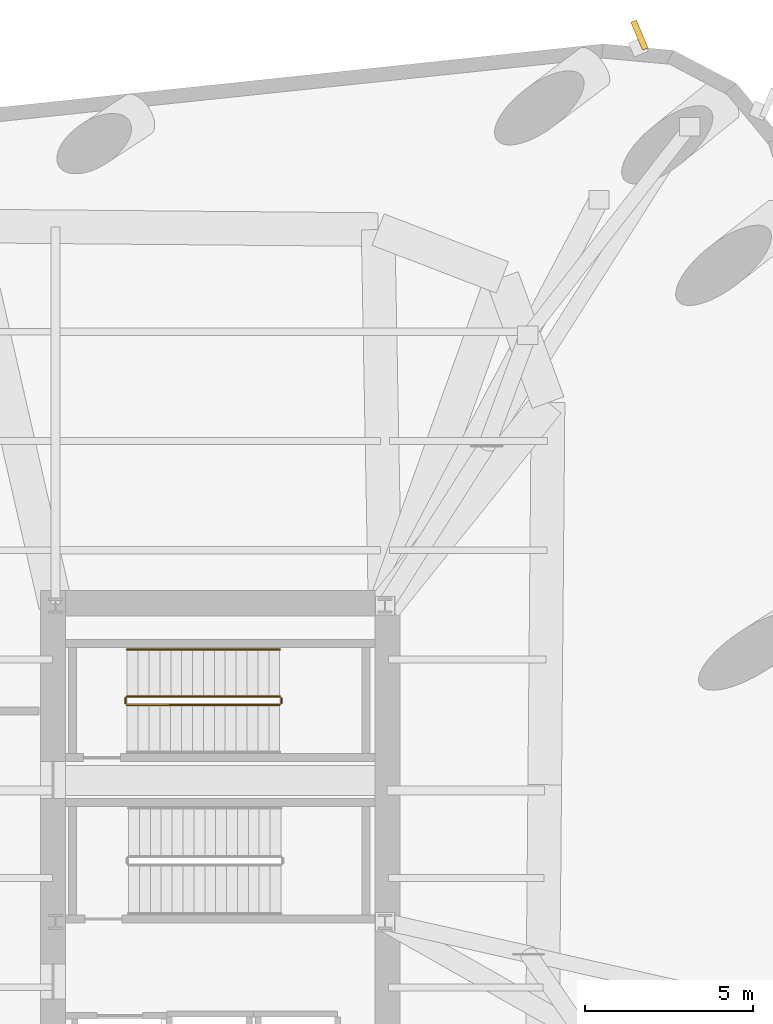
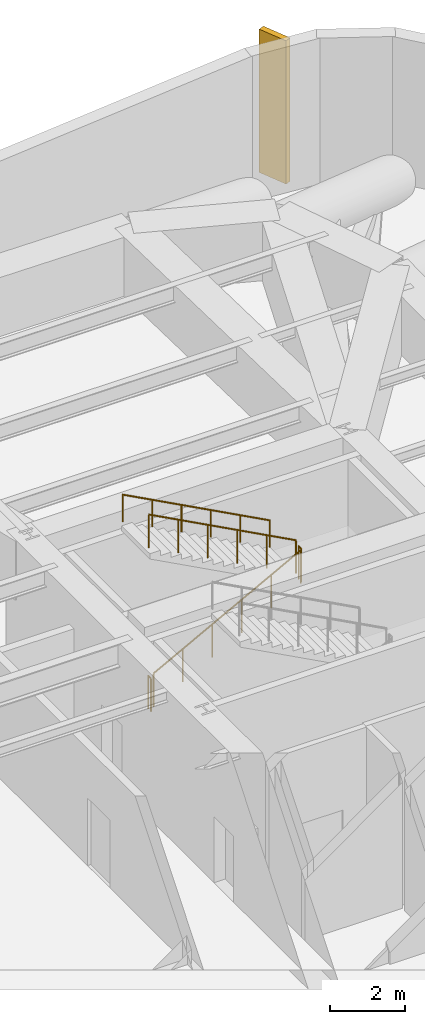
# One storey, part 14 of 15: 5 railings, 1 shading device.
"""IFC4 building model written with IfcOpenShell, lengths in metres."""

from ifc_helpers import new_model, si_unit, direction, frame, origin, origin_2d, place, context, subcontext, project, spatial, rectangle, circle, extrude, material, type_object, element, save


model = new_model("IFC4")

# Units and contexts
model_context = context("Model", 3, precision=1e-05, world=origin(), true_north=direction((0.0, 1.0)))
body_context = subcontext(model_context, "Body", "Model", "MODEL_VIEW")
ifc_project = project(units=[si_unit("LENGTHUNIT", "METRE"), si_unit("AREAUNIT", "SQUARE_METRE"), si_unit("VOLUMEUNIT", "CUBIC_METRE"), si_unit("PLANEANGLEUNIT", "RADIAN"), si_unit("MASSUNIT", "GRAM", prefix="KILO")], contexts=[model_context])

# Site, building, storey
site_placement = place(None, origin())
site = spatial("IfcSite", under=ifc_project, at=site_placement, CompositionType="ELEMENT")
building_placement = place(site_placement, origin())
building = spatial("IfcBuilding", under=site, at=building_placement, Name="Kolvaren Arena Tower", CompositionType="ELEMENT")
storey_placement = place(building_placement, frame((0.0, 0.0, 153.25)))
storey = spatial("IfcBuildingStorey", under=building, at=storey_placement, Name="L36", CompositionType="ELEMENT", Elevation=153.25)

# Railings
ifc_material_1 = material(Name="Painted galvanized steel", Category="steel")
railing_type_1 = type_object("IfcRailingType", Name="GUARD-ST-110", PredefinedType="GUARDRAIL", material=ifc_material_1)
railing_1_placement = place(storey_placement, frame((52.679931640625, 36.39990234375, 0.17333984375)))
element("IfcRailing", 1, at=railing_1_placement, inside=storey, type_object=railing_type_1, Name="L36 ST-E2 stair guard 1", PredefinedType="GUARDRAIL", context=body_context, shape_type="SweptSolid", body=[
    extrude(circle(Radius=0.02392578125, at=origin_2d()), frame((0.0, 0.0, 1.076171875), z_axis=(0.88174791909, 0.0, 0.471720899664), x_axis=(0.0, 1.0, 0.0)), (0.0, 0.0, 1.0), 5.14453125),
    extrude(circle(Radius=0.02099609375, at=origin_2d()), origin(), (0.0, 0.0, 1.0), 1.052001953125),
    extrude(circle(Radius=0.02099609375, at=origin_2d()), frame((0.9072265625, 0.0, 0.4853515625)), (0.0, 0.0, 1.0), 1.052001953125),
    extrude(circle(Radius=0.02099609375, at=origin_2d()), frame((1.814453125, 0.0, 0.970703125)), (0.0, 0.0, 1.0), 1.052001953125),
    extrude(circle(Radius=0.02099609375, at=origin_2d()), frame((2.7216796875, 0.0, 1.4560546875)), (0.0, 0.0, 1.0), 1.052001953125),
    extrude(circle(Radius=0.02099609375, at=origin_2d()), frame((3.62890625, 0.0, 1.94140625)), (0.0, 0.0, 1.0), 1.052001953125),
    extrude(circle(Radius=0.02099609375, at=origin_2d()), frame((4.5361328125, 0.0, 2.4267578125)), (0.0, 0.0, 1.0), 1.052001953125),
])
railing_2_placement = place(storey_placement, frame((57.26611328125, 36.449951171875, 2.60009765625)))
element("IfcRailing", 2, at=railing_2_placement, inside=storey, type_object=railing_type_1, Name="L36 ST-E2 stair guard 2", PredefinedType="GUARDRAIL", context=body_context, shape_type="SweptSolid", body=[
    extrude(circle(Radius=0.02392578125, at=origin_2d()), frame((0.0, 0.0, 1.076171875), z_axis=(0.0, 1.0, 0.0), x_axis=(-1.0, 0.0, 0.0)), (0.0, 0.0, 1.0), 0.150146484375),
    extrude(circle(Radius=0.02099609375, at=origin_2d()), origin(), (0.0, 0.0, 1.0), 1.052001953125),
    extrude(circle(Radius=0.02099609375, at=origin_2d()), frame((0.0, 0.150146484375, 0.0)), (0.0, 0.0, 1.0), 1.052001953125),
])
railing_3_placement = place(storey_placement, frame((57.216064453125, 36.64990234375, 2.7734375)))
element("IfcRailing", 3, at=railing_3_placement, inside=storey, type_object=railing_type_1, Name="L36 ST-E2 stair guard 3", PredefinedType="GUARDRAIL", context=body_context, shape_type="SweptSolid", body=[
    extrude(circle(Radius=0.02392578125, at=origin_2d()), frame((0.0, 0.0, 1.076171875), z_axis=(-0.881767657903, 0.0, 0.471684001717), x_axis=(0.0, -1.0, 0.0)), (0.0, 0.0, 1.0), 5.144287109375),
    extrude(circle(Radius=0.02099609375, at=origin_2d()), origin(), (0.0, 0.0, 1.0), 1.052001953125),
    extrude(circle(Radius=0.02099609375, at=origin_2d()), frame((-0.9072265625, 0.0, 0.4853515625)), (0.0, 0.0, 1.0), 1.052001953125),
    extrude(circle(Radius=0.02099609375, at=origin_2d()), frame((-1.814453125, 0.0, 0.970703125)), (0.0, 0.0, 1.0), 1.052001953125),
    extrude(circle(Radius=0.02099609375, at=origin_2d()), frame((-2.7216796875, 0.0, 1.455810546875)), (0.0, 0.0, 1.0), 1.052001953125),
    extrude(circle(Radius=0.02099609375, at=origin_2d()), frame((-3.62890625, 0.0, 1.941162109375)), (0.0, 0.0, 1.0), 1.052001953125),
    extrude(circle(Radius=0.02099609375, at=origin_2d()), frame((-4.5361328125, 0.0, 2.426513671875)), (0.0, 0.0, 1.0), 1.052001953125),
])
railing_4_placement = place(storey_placement, frame((52.6298828125, 36.449951171875, 0.0)))
element("IfcRailing", 4, at=railing_4_placement, inside=storey, type_object=railing_type_1, Name="L36 ST-E2 stair guard 4", PredefinedType="GUARDRAIL", context=body_context, shape_type="SweptSolid", body=[
    extrude(circle(Radius=0.02392578125, at=origin_2d()), frame((0.0, 0.0, 1.076171875), z_axis=(0.0, 1.0, 0.0), x_axis=(-1.0, 0.0, 0.0)), (0.0, 0.0, 1.0), 0.150146484375),
    extrude(circle(Radius=0.02099609375, at=origin_2d()), origin(), (0.0, 0.0, 1.0), 1.052001953125),
    extrude(circle(Radius=0.02099609375, at=origin_2d()), frame((0.0, 0.150146484375, 0.0)), (0.0, 0.0, 1.0), 1.052001953125),
])
ifc_material_2 = material(Name="Brushed stainless steel handrail", Category="steel")
railing_type_2 = type_object("IfcRailingType", Name="HRAIL-900", PredefinedType="HANDRAIL", material=ifc_material_2)
railing_5_placement = place(storey_placement, frame((57.216064453125, 38.050048828125, 2.7734375)))
element("IfcRailing", 5, at=railing_5_placement, inside=storey, type_object=railing_type_2, Name="L36 ST-E2 stair handrail 2", PredefinedType="HANDRAIL", context=body_context, shape_type="SweptSolid", body=[
    extrude(circle(Radius=0.02392578125, at=origin_2d()), frame((0.0, 0.0, 0.8759765625), z_axis=(-0.881767657903, 0.0, 0.471684001717), x_axis=(0.0, -1.0, 0.0)), (0.0, 0.0, 1.0), 5.144287109375),
    extrude(circle(Radius=0.02099609375, at=origin_2d()), origin(), (0.0, 0.0, 1.0), 0.851806640625),
    extrude(circle(Radius=0.02099609375, at=origin_2d()), frame((-0.9072265625, 0.0, 0.4853515625)), (0.0, 0.0, 1.0), 0.851806640625),
    extrude(circle(Radius=0.02099609375, at=origin_2d()), frame((-1.814453125, 0.0, 0.970703125)), (0.0, 0.0, 1.0), 0.851806640625),
    extrude(circle(Radius=0.02099609375, at=origin_2d()), frame((-2.7216796875, 0.0, 1.455810546875)), (0.0, 0.0, 1.0), 0.851806640625),
    extrude(circle(Radius=0.02099609375, at=origin_2d()), frame((-3.62890625, 0.0, 1.941162109375)), (0.0, 0.0, 1.0), 0.851806640625),
    extrude(circle(Radius=0.02099609375, at=origin_2d()), frame((-4.5361328125, 0.0, 2.426513671875)), (0.0, 0.0, 1.0), 0.851806640625),
])

# Shading device
ifc_material_3 = material(Name="Precast architectural concrete C50/60 rib fin", Category="concrete")
shading_device_type = type_object("IfcShadingDeviceType", Name="SHAD-FIN-28", PredefinedType="USERDEFINED", material=ifc_material_3)
shading_device_placement = place(storey_placement, frame((67.916259765625, 56.320556640625, 0.02001953125), z_axis=(0.0, 0.0, 1.0), x_axis=(-0.386706132999, 0.922202996472, 0.0)))
element("IfcShadingDevice", 6, at=shading_device_placement, inside=storey, type_object=shading_device_type, Name="Precast 28-Deg Corner Rib Fin (L36)", ObjectType="FIN", PredefinedType="USERDEFINED", context=body_context, shape_type="SweptSolid", body=[
    extrude(rectangle(XDim=0.89990234375, YDim=0.179931640625, at=origin_2d()), origin(), (0.0, 0.0, 1.0), 4.669921875),
])

save(model, "model.ifc")
